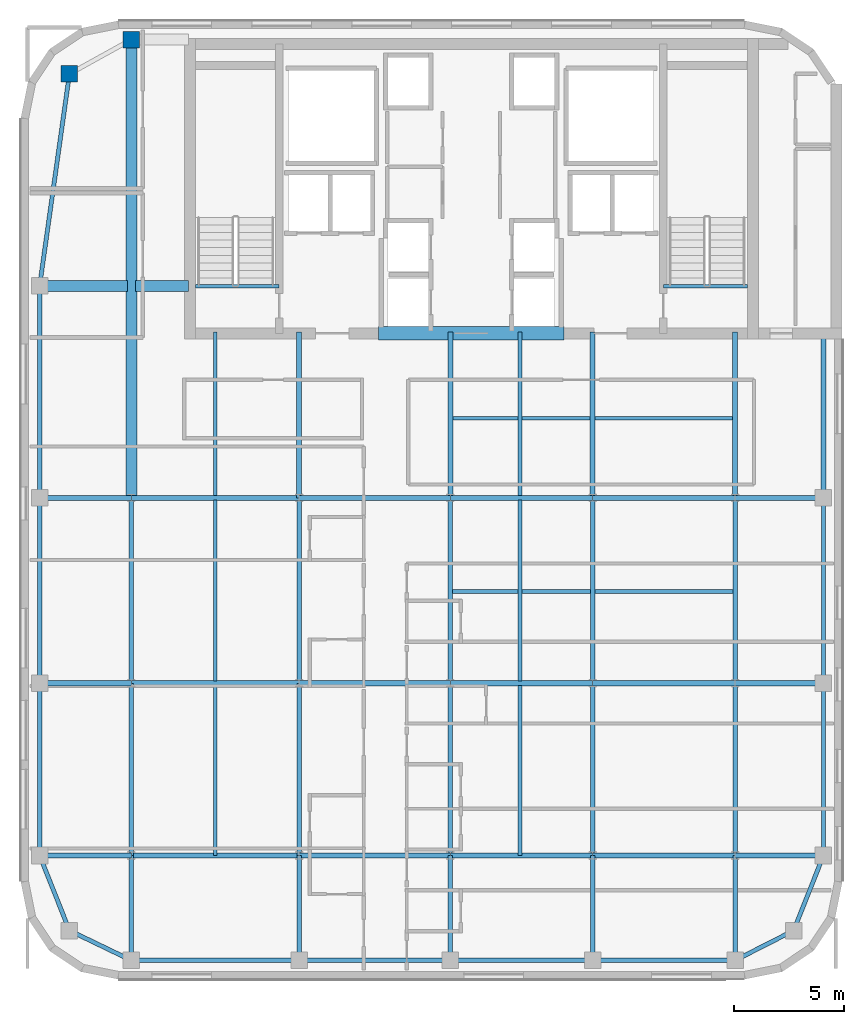
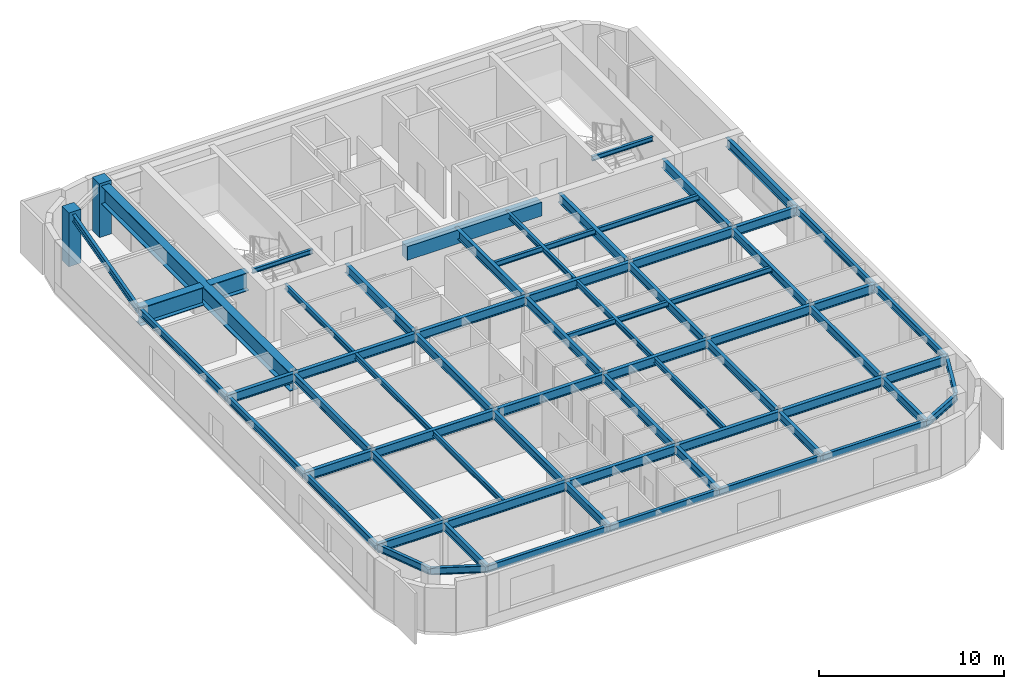
# One storey, part 2 of 12: 66 beams, 2 columns.
"""IFC4 building model written with IfcOpenShell, lengths in metres."""

from ifc_helpers import new_model, si_unit, direction, frame, origin, origin_2d, place, context, subcontext, project, spatial, rectangle, i_section, extrude, source, transform, mapped, material, material_profile, profile_set, type_object, type_shapes, element, save


model = new_model("IFC4")

# Units and contexts
model_context = context("Model", 3, precision=1e-05, world=origin(), true_north=direction((0.0, 1.0)))
body_context = subcontext(model_context, "Body", "Model", "MODEL_VIEW")
ifc_project = project(units=[si_unit("LENGTHUNIT", "METRE"), si_unit("AREAUNIT", "SQUARE_METRE"), si_unit("VOLUMEUNIT", "CUBIC_METRE"), si_unit("PLANEANGLEUNIT", "RADIAN"), si_unit("MASSUNIT", "GRAM", prefix="KILO")], contexts=[model_context])

# Site, building, storey
site_placement = place(None, origin())
site = spatial("IfcSite", under=ifc_project, at=site_placement, CompositionType="ELEMENT")
building_placement = place(site_placement, origin())
building = spatial("IfcBuilding", under=site, at=building_placement, Name="Tolvann Quenvar Hotel", CompositionType="ELEMENT")
storey_placement = place(building_placement, frame((0.0, 0.0, 213.25)))
storey = spatial("IfcBuildingStorey", under=building, at=storey_placement, Name="L56", CompositionType="ELEMENT", Elevation=213.25)

# Columns
ifc_material_1 = material(Name="Concrete N50 (50 MPa)", Category="concrete")
ifc_material_profile_1 = material_profile(ifc_material_1, rectangle(XDim=0.75, YDim=0.75, at=origin_2d()), Name="RC750x750")
ifc_profile_set_1 = profile_set([ifc_material_profile_1], Name="Concrete N50 (50 MPa)")
column_type = type_object("IfcColumnType", Name="COL_RC750", PredefinedType="COLUMN", material=ifc_profile_set_1)
shared_shape_1 = source(origin(), body_context, "Body", "SweptSolid", [
    extrude(rectangle(XDim=0.75, YDim=0.75, at=origin_2d()), origin(), (0.0, 0.0, 1.0), 3.550048828125),
])
type_shapes(column_type, [shared_shape_1])
for number, where, z_axis, x_axis, name in (
    (1, (4.800048828125, 43.60009765625, 0.0), (0.0, 0.0, 1.0), (1.0, 0.0, 0.0), "Column BN (L56)"),
    (2, (7.60009765625, 45.14990234375, 0.0), (0.0, 0.0, 1.0), (1.0, 0.0, 0.0), "Column CN (L56)"),
):
    element("IfcColumn", number, at=place(storey_placement, frame(where, z_axis=z_axis, x_axis=x_axis)), inside=storey, type_object=column_type, Name=name, PredefinedType="COLUMN", context=body_context, shape_type="MappedRepresentation", body=[
        mapped(shared_shape_1, transform((0.0, 0.0, 0.0), x_axis=(1.0, 0.0, 0.0), y_axis=(0.0, 1.0, 0.0), z_axis=(0.0, 0.0, 1.0), scale=1.0)),
    ])

# Beams
ifc_material_profile_2 = material_profile(ifc_material_1, rectangle(XDim=0.60009765625, YDim=0.89990234375, at=origin_2d()), Name="RC600x900")
ifc_profile_set_2 = profile_set([ifc_material_profile_2], Name="Concrete N50 (50 MPa)")
beam_type_1 = type_object("IfcBeamType", Name="BM_LINT_RC600x900", PredefinedType="LINTEL", material=ifc_profile_set_2)
shared_shape_2 = source(origin(), body_context, "Body", "SweptSolid", [
    extrude(rectangle(XDim=0.60009765625, YDim=0.89990234375, at=origin_2d()), origin(), (0.0, 0.0, 1.0), 8.39990234375),
])
type_shapes(beam_type_1, [shared_shape_2])
beam_1_placement = place(storey_placement, frame((18.800048828125, 31.85009765625, 2.919921875), z_axis=(1.0, 0.0, 0.0), x_axis=(0.0, 1.0, 0.0)))
element("IfcBeam", 3, at=beam_1_placement, inside=storey, type_object=beam_type_1, Name="Core Coupling Lintel Beam (L56)", PredefinedType="LINTEL", context=body_context, shape_type="MappedRepresentation", body=[
    mapped(shared_shape_2, transform((0.0, 0.0, 0.0), x_axis=(1.0, 0.0, 0.0), y_axis=(0.0, 1.0, 0.0), z_axis=(0.0, 0.0, 1.0), scale=1.0)),
])
ifc_material_2 = material(Name="Steel Grade 350", Category="steel")
ifc_material_profile_3 = material_profile(ifc_material_2, i_section(OverallWidth=0.208984375, OverallDepth=0.532958984375, WebThickness=0.01025390625, FlangeThickness=0.015625, FilletRadius=0.013916015625, at=origin_2d()), Name="530UB92")
ifc_profile_set_3 = profile_set([ifc_material_profile_3], Name="Steel Grade 350")
beam_type_2 = type_object("IfcBeamType", Name="BM_GIRD_530UB92", PredefinedType="BEAM", material=ifc_profile_set_3)
shared_shape_3 = source(origin(), body_context, "Body", "SweptSolid", [
    extrude(i_section(OverallWidth=0.208984375, OverallDepth=0.532958984375, WebThickness=0.01025390625, FlangeThickness=0.015625, FilletRadius=0.013916015625, at=origin_2d()), origin(), (0.0, 0.0, 1.0), 7.800048828125),
])
for number, where, z_axis, x_axis, name in (
    (4, (7.60009765625, 8.199951171875, 3.103515625), (0.0, 1.0, 0.0), (-1.0, 0.0, 0.0), "BM-L56-NS-C3-C4"),
    (5, (15.199951171875, 8.199951171875, 3.103515625), (0.0, 1.0, 0.0), (-1.0, 0.0, 0.0), "BM-L56-NS-D3-D4"),
    (6, (22.050048828125, 8.199951171875, 3.103515625), (0.0, 1.0, 0.0), (-1.0, 0.0, 0.0), "BM-L56-NS-E3-E4"),
    (7, (34.949951171875, 8.199951171875, 3.103515625), (0.0, 1.0, 0.0), (-1.0, 0.0, 0.0), "BM-L56-NS-F3-F4"),
    (8, (28.5, 8.199951171875, 3.103515625), (0.0, 1.0, 0.0), (-1.0, 0.0, 0.0), "BM-L56-NS-M3-M4"),
):
    element("IfcBeam", number, at=place(storey_placement, frame(where, z_axis=z_axis, x_axis=x_axis)), inside=storey, type_object=beam_type_2, Name=name, PredefinedType="BEAM", context=body_context, shape_type="MappedRepresentation", body=[
        mapped(shared_shape_3, transform((0.0, 0.0, 0.0), x_axis=(1.0, 0.0, 0.0), y_axis=(0.0, 1.0, 0.0), z_axis=(0.0, 0.0, 1.0), scale=1.0)),
    ])
shared_shape_4 = source(origin(), body_context, "Body", "SweptSolid", [
    extrude(i_section(OverallWidth=0.208984375, OverallDepth=0.532958984375, WebThickness=0.01025390625, FlangeThickness=0.015625, FilletRadius=0.013916015625, at=origin_2d()), origin(), (0.0, 0.0, 1.0), 8.39990234375),
])
for number, where, z_axis, x_axis, name in (
    (9, (7.60009765625, 16.0, 3.103515625), (0.0, 1.0, 0.0), (-1.0, 0.0, 0.0), "BM-L56-NS-C4-C5"),
    (10, (15.199951171875, 16.0, 3.103515625), (0.0, 1.0, 0.0), (-1.0, 0.0, 0.0), "BM-L56-NS-D4-D5"),
    (11, (22.050048828125, 16.0, 3.103515625), (0.0, 1.0, 0.0), (-1.0, 0.0, 0.0), "BM-L56-NS-E4-E5"),
    (12, (34.949951171875, 16.0, 3.103515625), (0.0, 1.0, 0.0), (-1.0, 0.0, 0.0), "BM-L56-NS-F4-F5"),
    (13, (28.5, 16.0, 3.103515625), (0.0, 1.0, 0.0), (-1.0, 0.0, 0.0), "BM-L56-NS-M4-M5"),
):
    element("IfcBeam", number, at=place(storey_placement, frame(where, z_axis=z_axis, x_axis=x_axis)), inside=storey, type_object=beam_type_2, Name=name, PredefinedType="BEAM", context=body_context, shape_type="MappedRepresentation", body=[
        mapped(shared_shape_4, transform((0.0, 0.0, 0.0), x_axis=(1.0, 0.0, 0.0), y_axis=(0.0, 1.0, 0.0), z_axis=(0.0, 0.0, 1.0), scale=1.0)),
    ])
ifc_material_profile_4 = material_profile(ifc_material_2, i_section(OverallWidth=0.5, OverallDepth=1.199951171875, WebThickness=0.01611328125, FlangeThickness=0.0400390625, at=origin_2d()), Name="1200WB455")
ifc_profile_set_4 = profile_set([ifc_material_profile_4], Name="Steel Grade 350")
beam_type_3 = type_object("IfcBeamType", Name="BM_TG_1200WB455", PredefinedType="USERDEFINED", material=ifc_profile_set_4)
shared_shape_5 = source(origin(), body_context, "Body", "SweptSolid", [
    extrude(i_section(OverallWidth=0.5, OverallDepth=1.199951171875, WebThickness=0.01611328125, FlangeThickness=0.0400390625, at=origin_2d()), origin(), (0.0, 0.0, 1.0), 20.75),
])
beam_2_placement = place(storey_placement, frame((7.60009765625, 24.39990234375, 2.77001953125), z_axis=(0.0, 1.0, 0.0), x_axis=(-1.0, 0.0, 0.0)))
element("IfcBeam", 14, at=beam_2_placement, inside=storey, type_object=beam_type_3, Name="BM-L56-FLK-WC", ObjectType="TRANSFER GIRDER", PredefinedType="USERDEFINED", context=body_context, shape_type="MappedRepresentation", body=[
    mapped(shared_shape_5, transform((0.0, 0.0, 0.0), x_axis=(1.0, 0.0, 0.0), y_axis=(0.0, 1.0, 0.0), z_axis=(0.0, 0.0, 1.0), scale=1.0)),
])
shared_shape_6 = source(origin(), body_context, "Body", "SweptSolid", [
    extrude(i_section(OverallWidth=0.5, OverallDepth=1.199951171875, WebThickness=0.01611328125, FlangeThickness=0.0400390625, at=origin_2d()), origin(), (0.0, 0.0, 1.0), 2.419921875),
])
beam_3_placement = place(storey_placement, frame((7.780029296875, 34.0, 2.77001953125), z_axis=(1.0, 0.0, 0.0), x_axis=(0.0, 1.0, 0.0)))
element("IfcBeam", 15, at=beam_3_placement, inside=storey, type_object=beam_type_3, Name="BM-L56-CTW-MID2", ObjectType="TRANSFER GIRDER", PredefinedType="USERDEFINED", context=body_context, shape_type="MappedRepresentation", body=[
    mapped(shared_shape_6, transform((0.0, 0.0, 0.0), x_axis=(1.0, 0.0, 0.0), y_axis=(0.0, 1.0, 0.0), z_axis=(0.0, 0.0, 1.0), scale=1.0)),
])
ifc_material_profile_5 = material_profile(ifc_material_2, i_section(OverallWidth=0.166015625, OverallDepth=0.306884765625, WebThickness=0.006591796875, FlangeThickness=0.01171875, FilletRadius=0.011474609375, at=origin_2d()), Name="310UB46")
ifc_profile_set_5 = profile_set([ifc_material_profile_5], Name="Steel Grade 350")
beam_type_4 = type_object("IfcBeamType", Name="BM_JOIST_310UB46", PredefinedType="JOIST", material=ifc_profile_set_5)
shared_shape_7 = source(origin(), body_context, "Body", "SweptSolid", [
    extrude(i_section(OverallWidth=0.166015625, OverallDepth=0.306884765625, WebThickness=0.006591796875, FlangeThickness=0.01171875, FilletRadius=0.011474609375, at=origin_2d()), origin(), (0.0, 0.0, 1.0), 3.800048828125),
])
type_shapes(beam_type_4, [shared_shape_7])
for number, where, z_axis, x_axis, name in (
    (16, (10.5, 33.97998046875, 3.216552734375), (1.0, 0.0, 0.0), (0.0, 1.0, 0.0), "BM-HDR-STC1-L57"),
    (17, (31.699951171875, 33.97998046875, 3.216552734375), (1.0, 0.0, 0.0), (0.0, 1.0, 0.0), "BM-HDR-STC2-L57"),
):
    element("IfcBeam", number, at=place(storey_placement, frame(where, z_axis=z_axis, x_axis=x_axis)), inside=storey, type_object=beam_type_4, Name=name, PredefinedType="JOIST", context=body_context, shape_type="MappedRepresentation", body=[
        mapped(shared_shape_7, transform((0.0, 0.0, 0.0), x_axis=(1.0, 0.0, 0.0), y_axis=(0.0, 1.0, 0.0), z_axis=(0.0, 0.0, 1.0), scale=1.0)),
    ])
shared_shape_8 = source(origin(), body_context, "Body", "SweptSolid", [
    extrude(i_section(OverallWidth=0.5, OverallDepth=1.199951171875, WebThickness=0.01611328125, FlangeThickness=0.0400390625, at=origin_2d()), origin(), (0.0, 0.0, 1.0), 3.969970703125),
])
type_shapes(beam_type_3, [shared_shape_5, shared_shape_6, shared_shape_8])
beam_4_placement = place(storey_placement, frame((3.449951171875, 34.0, 2.77001953125), z_axis=(1.0, 0.0, 0.0), x_axis=(0.0, 1.0, 0.0)))
element("IfcBeam", 18, at=beam_4_placement, inside=storey, type_object=beam_type_3, Name="BM-L56-CTW-MID1", ObjectType="TRANSFER GIRDER", PredefinedType="USERDEFINED", context=body_context, shape_type="MappedRepresentation", body=[
    mapped(shared_shape_8, transform((0.0, 0.0, 0.0), x_axis=(1.0, 0.0, 0.0), y_axis=(0.0, 1.0, 0.0), z_axis=(0.0, 0.0, 1.0), scale=1.0)),
])
ifc_material_profile_6 = material_profile(ifc_material_2, i_section(OverallWidth=0.172119140625, OverallDepth=0.35888671875, WebThickness=0.008056640625, FlangeThickness=0.012939453125, FilletRadius=0.011474609375, at=origin_2d()), Name="360UB57")
ifc_profile_set_6 = profile_set([ifc_material_profile_6], Name="Steel Grade 350")
beam_type_5 = type_object("IfcBeamType", Name="BM_JOIST_360UB57", PredefinedType="JOIST", material=ifc_profile_set_6)
shared_shape_9 = source(origin(), body_context, "Body", "SweptSolid", [
    extrude(i_section(OverallWidth=0.172119140625, OverallDepth=0.35888671875, WebThickness=0.008056640625, FlangeThickness=0.012939453125, FilletRadius=0.011474609375, at=origin_2d()), origin(), (0.0, 0.0, 1.0), 12.89990234375),
])
for number, where, z_axis, x_axis, name in (
    (19, (22.050048828125, 20.14990234375, 3.1904296875), (1.0, 0.0, 0.0), (0.0, 1.0, 0.0), "BM-L56-SPINE-20"),
    (20, (22.050048828125, 28.0, 3.1904296875), (1.0, 0.0, 0.0), (0.0, 1.0, 0.0), "BM-L56-SPINE-28"),
):
    element("IfcBeam", number, at=place(storey_placement, frame(where, z_axis=z_axis, x_axis=x_axis)), inside=storey, type_object=beam_type_5, Name=name, PredefinedType="JOIST", context=body_context, shape_type="MappedRepresentation", body=[
        mapped(shared_shape_9, transform((0.0, 0.0, 0.0), x_axis=(1.0, 0.0, 0.0), y_axis=(0.0, 1.0, 0.0), z_axis=(0.0, 0.0, 1.0), scale=1.0)),
    ])
ifc_material_profile_7 = material_profile(ifc_material_2, i_section(OverallWidth=0.22802734375, OverallDepth=0.60205078125, WebThickness=0.010498046875, FlangeThickness=0.014892578125, FilletRadius=0.013916015625, at=origin_2d()), Name="610UB101")
ifc_profile_set_7 = profile_set([ifc_material_profile_7], Name="Steel Grade 350")
beam_type_6 = type_object("IfcBeamType", Name="BM_GIRD_610UB101", PredefinedType="BEAM", material=ifc_profile_set_7)
shared_shape_10 = source(origin(), body_context, "Body", "SweptSolid", [
    extrude(i_section(OverallWidth=0.22802734375, OverallDepth=0.60205078125, WebThickness=0.010498046875, FlangeThickness=0.014892578125, FilletRadius=0.013916015625, at=origin_2d()), origin(), (0.0, 0.0, 1.0), 4.150146484375),
])
for number, where, z_axis, x_axis, name in (
    (21, (3.449951171875, 8.199951171875, 3.069091796875), (1.0, 0.0, 0.0), (0.0, 1.0, 0.0), "BM-L56-EW-3-B3-C3"),
    (22, (3.449951171875, 16.0, 3.069091796875), (1.0, 0.0, 0.0), (0.0, 1.0, 0.0), "BM-L56-EW-4-B4-C4"),
    (23, (3.449951171875, 24.39990234375, 3.069091796875), (1.0, 0.0, 0.0), (0.0, 1.0, 0.0), "BM-L56-EW-5-B5-C5"),
):
    element("IfcBeam", number, at=place(storey_placement, frame(where, z_axis=z_axis, x_axis=x_axis)), inside=storey, type_object=beam_type_6, Name=name, PredefinedType="BEAM", context=body_context, shape_type="MappedRepresentation", body=[
        mapped(shared_shape_10, transform((0.0, 0.0, 0.0), x_axis=(1.0, 0.0, 0.0), y_axis=(0.0, 1.0, 0.0), z_axis=(0.0, 0.0, 1.0), scale=1.0)),
    ])
shared_shape_11 = source(origin(), body_context, "Body", "SweptSolid", [
    extrude(i_section(OverallWidth=0.22802734375, OverallDepth=0.60205078125, WebThickness=0.010498046875, FlangeThickness=0.014892578125, FilletRadius=0.013916015625, at=origin_2d()), origin(), (0.0, 0.0, 1.0), 7.599853515625),
])
for number, where, z_axis, x_axis, name in (
    (24, (7.60009765625, 8.199951171875, 3.069091796875), (1.0, 0.0, 0.0), (0.0, 1.0, 0.0), "BM-L56-EW-3-C3-D3"),
    (25, (7.60009765625, 16.0, 3.069091796875), (1.0, 0.0, 0.0), (0.0, 1.0, 0.0), "BM-L56-EW-4-C4-D4"),
    (26, (7.60009765625, 24.39990234375, 3.069091796875), (1.0, 0.0, 0.0), (0.0, 1.0, 0.0), "BM-L56-EW-5-C5-D5"),
):
    element("IfcBeam", number, at=place(storey_placement, frame(where, z_axis=z_axis, x_axis=x_axis)), inside=storey, type_object=beam_type_6, Name=name, PredefinedType="BEAM", context=body_context, shape_type="MappedRepresentation", body=[
        mapped(shared_shape_11, transform((0.0, 0.0, 0.0), x_axis=(1.0, 0.0, 0.0), y_axis=(0.0, 1.0, 0.0), z_axis=(0.0, 0.0, 1.0), scale=1.0)),
    ])
shared_shape_12 = source(origin(), body_context, "Body", "SweptSolid", [
    extrude(i_section(OverallWidth=0.22802734375, OverallDepth=0.60205078125, WebThickness=0.010498046875, FlangeThickness=0.014892578125, FilletRadius=0.013916015625, at=origin_2d()), origin(), (0.0, 0.0, 1.0), 6.85009765625),
])
for number, where, z_axis, x_axis, name in (
    (27, (15.199951171875, 8.199951171875, 3.069091796875), (1.0, 0.0, 0.0), (0.0, 1.0, 0.0), "BM-L56-EW-3-D3-E3"),
    (28, (15.199951171875, 16.0, 3.069091796875), (1.0, 0.0, 0.0), (0.0, 1.0, 0.0), "BM-L56-EW-4-D4-E4"),
    (29, (15.199951171875, 24.39990234375, 3.069091796875), (1.0, 0.0, 0.0), (0.0, 1.0, 0.0), "BM-L56-EW-5-D5-E5"),
):
    element("IfcBeam", number, at=place(storey_placement, frame(where, z_axis=z_axis, x_axis=x_axis)), inside=storey, type_object=beam_type_6, Name=name, PredefinedType="BEAM", context=body_context, shape_type="MappedRepresentation", body=[
        mapped(shared_shape_12, transform((0.0, 0.0, 0.0), x_axis=(1.0, 0.0, 0.0), y_axis=(0.0, 1.0, 0.0), z_axis=(0.0, 0.0, 1.0), scale=1.0)),
    ])
shared_shape_13 = source(origin(), body_context, "Body", "SweptSolid", [
    extrude(i_section(OverallWidth=0.22802734375, OverallDepth=0.60205078125, WebThickness=0.010498046875, FlangeThickness=0.014892578125, FilletRadius=0.013916015625, at=origin_2d()), origin(), (0.0, 0.0, 1.0), 6.449951171875),
])
for number, where, z_axis, x_axis, name in (
    (30, (22.050048828125, 8.199951171875, 3.069091796875), (1.0, 0.0, 0.0), (0.0, 1.0, 0.0), "BM-L56-EW-3-E3-M3"),
    (31, (28.5, 8.199951171875, 3.069091796875), (1.0, 0.0, 0.0), (0.0, 1.0, 0.0), "BM-L56-EW-3-M3-F3"),
    (32, (22.050048828125, 16.0, 3.069091796875), (1.0, 0.0, 0.0), (0.0, 1.0, 0.0), "BM-L56-EW-4-E4-M4"),
    (33, (28.5, 16.0, 3.069091796875), (1.0, 0.0, 0.0), (0.0, 1.0, 0.0), "BM-L56-EW-4-M4-F4"),
    (34, (22.050048828125, 24.39990234375, 3.069091796875), (1.0, 0.0, 0.0), (0.0, 1.0, 0.0), "BM-L56-EW-5-E5-M5"),
    (35, (28.5, 24.39990234375, 3.069091796875), (1.0, 0.0, 0.0), (0.0, 1.0, 0.0), "BM-L56-EW-5-M5-F5"),
):
    element("IfcBeam", number, at=place(storey_placement, frame(where, z_axis=z_axis, x_axis=x_axis)), inside=storey, type_object=beam_type_6, Name=name, PredefinedType="BEAM", context=body_context, shape_type="MappedRepresentation", body=[
        mapped(shared_shape_13, transform((0.0, 0.0, 0.0), x_axis=(1.0, 0.0, 0.0), y_axis=(0.0, 1.0, 0.0), z_axis=(0.0, 0.0, 1.0), scale=1.0)),
    ])
shared_shape_14 = source(origin(), body_context, "Body", "SweptSolid", [
    extrude(i_section(OverallWidth=0.208984375, OverallDepth=0.532958984375, WebThickness=0.01025390625, FlangeThickness=0.015625, FilletRadius=0.013916015625, at=origin_2d()), origin(), (0.0, 0.0, 1.0), 4.75),
])
type_shapes(beam_type_2, [shared_shape_3, shared_shape_4, shared_shape_14])
for number, where, z_axis, x_axis, name in (
    (36, (7.60009765625, 3.449951171875, 3.103515625), (0.0, 1.0, 0.0), (-1.0, 0.0, 0.0), "BM-L56-NS-C2-C3"),
    (37, (15.199951171875, 3.449951171875, 3.103515625), (0.0, 1.0, 0.0), (-1.0, 0.0, 0.0), "BM-L56-NS-D2-D3"),
    (38, (22.050048828125, 3.449951171875, 3.103515625), (0.0, 1.0, 0.0), (-1.0, 0.0, 0.0), "BM-L56-NS-E2-E3"),
    (39, (34.949951171875, 3.449951171875, 3.103515625), (0.0, 1.0, 0.0), (-1.0, 0.0, 0.0), "BM-L56-NS-F2-F3"),
    (40, (28.5, 3.449951171875, 3.103515625), (0.0, 1.0, 0.0), (-1.0, 0.0, 0.0), "BM-L56-NS-M2-M3"),
):
    element("IfcBeam", number, at=place(storey_placement, frame(where, z_axis=z_axis, x_axis=x_axis)), inside=storey, type_object=beam_type_2, Name=name, PredefinedType="BEAM", context=body_context, shape_type="MappedRepresentation", body=[
        mapped(shared_shape_14, transform((0.0, 0.0, 0.0), x_axis=(1.0, 0.0, 0.0), y_axis=(0.0, 1.0, 0.0), z_axis=(0.0, 0.0, 1.0), scale=1.0)),
    ])
shared_shape_15 = source(origin(), body_context, "Body", "SweptSolid", [
    extrude(i_section(OverallWidth=0.22802734375, OverallDepth=0.60205078125, WebThickness=0.010498046875, FlangeThickness=0.014892578125, FilletRadius=0.013916015625, at=origin_2d()), origin(), (0.0, 0.0, 1.0), 7.5),
])
for number, where, z_axis, x_axis, name in (
    (41, (15.199951171875, 24.39990234375, 3.069091796875), (0.0, 1.0, 0.0), (-1.0, 0.0, 0.0), "BM-L56-CORE-D5"),
    (42, (22.050048828125, 24.39990234375, 3.069091796875), (0.0, 1.0, 0.0), (-1.0, 0.0, 0.0), "BM-L56-CORE-E5"),
    (43, (34.949951171875, 24.39990234375, 3.069091796875), (0.0, 1.0, 0.0), (-1.0, 0.0, 0.0), "BM-L56-CORE-F5"),
    (44, (38.949951171875, 24.39990234375, 3.069091796875), (0.0, 1.0, 0.0), (-1.0, 0.0, 0.0), "BM-L56-CORE-G5"),
    (45, (28.5, 24.39990234375, 3.069091796875), (0.0, 1.0, 0.0), (-1.0, 0.0, 0.0), "BM-L56-CORE-M5"),
):
    element("IfcBeam", number, at=place(storey_placement, frame(where, z_axis=z_axis, x_axis=x_axis)), inside=storey, type_object=beam_type_6, Name=name, PredefinedType="BEAM", context=body_context, shape_type="MappedRepresentation", body=[
        mapped(shared_shape_15, transform((0.0, 0.0, 0.0), x_axis=(1.0, 0.0, 0.0), y_axis=(0.0, 1.0, 0.0), z_axis=(0.0, 0.0, 1.0), scale=1.0)),
    ])
shared_shape_16 = source(origin(), body_context, "Body", "SweptSolid", [
    extrude(i_section(OverallWidth=0.172119140625, OverallDepth=0.35888671875, WebThickness=0.008056640625, FlangeThickness=0.012939453125, FilletRadius=0.011474609375, at=origin_2d()), origin(), (0.0, 0.0, 1.0), 7.692138671875),
])
for number, where, z_axis, x_axis, name in (
    (46, (11.39990234375, 8.199951171875, 3.1904296875), (0.0, 1.0, 0.0), (-1.0, 0.0, 0.0), "BJ-L56-114-82"),
    (47, (25.199951171875, 8.199951171875, 3.1904296875), (0.0, 1.0, 0.0), (-1.0, 0.0, 0.0), "BJ-L56-252-82"),
):
    element("IfcBeam", number, at=place(storey_placement, frame(where, z_axis=z_axis, x_axis=x_axis)), inside=storey, type_object=beam_type_5, Name=name, PredefinedType="JOIST", context=body_context, shape_type="MappedRepresentation", body=[
        mapped(shared_shape_16, transform((0.0, 0.0, 0.0), x_axis=(1.0, 0.0, 0.0), y_axis=(0.0, 1.0, 0.0), z_axis=(0.0, 0.0, 1.0), scale=1.0)),
    ])
shared_shape_17 = source(origin(), body_context, "Body", "SweptSolid", [
    extrude(i_section(OverallWidth=0.172119140625, OverallDepth=0.35888671875, WebThickness=0.008056640625, FlangeThickness=0.012939453125, FilletRadius=0.011474609375, at=origin_2d()), origin(), (0.0, 0.0, 1.0), 8.18408203125),
])
for number, where, z_axis, x_axis, name in (
    (48, (11.39990234375, 16.10791015625, 3.1904296875), (0.0, 1.0, 0.0), (-1.0, 0.0, 0.0), "BJ-L56-114-160"),
    (49, (25.199951171875, 16.10791015625, 3.1904296875), (0.0, 1.0, 0.0), (-1.0, 0.0, 0.0), "BJ-L56-252-160"),
):
    element("IfcBeam", number, at=place(storey_placement, frame(where, z_axis=z_axis, x_axis=x_axis)), inside=storey, type_object=beam_type_5, Name=name, PredefinedType="JOIST", context=body_context, shape_type="MappedRepresentation", body=[
        mapped(shared_shape_17, transform((0.0, 0.0, 0.0), x_axis=(1.0, 0.0, 0.0), y_axis=(0.0, 1.0, 0.0), z_axis=(0.0, 0.0, 1.0), scale=1.0)),
    ])
shared_shape_18 = source(origin(), body_context, "Body", "SweptSolid", [
    extrude(i_section(OverallWidth=0.172119140625, OverallDepth=0.35888671875, WebThickness=0.008056640625, FlangeThickness=0.012939453125, FilletRadius=0.011474609375, at=origin_2d()), origin(), (0.0, 0.0, 1.0), 7.391845703125),
])
type_shapes(beam_type_5, [shared_shape_9, shared_shape_16, shared_shape_17, shared_shape_18])
for number, where, z_axis, x_axis, name in (
    (50, (11.39990234375, 24.508056640625, 3.1904296875), (0.0, 1.0, 0.0), (-1.0, 0.0, 0.0), "BJ-L56-114-244"),
    (51, (25.199951171875, 24.508056640625, 3.1904296875), (0.0, 1.0, 0.0), (-1.0, 0.0, 0.0), "BJ-L56-252-244"),
):
    element("IfcBeam", number, at=place(storey_placement, frame(where, z_axis=z_axis, x_axis=x_axis)), inside=storey, type_object=beam_type_5, Name=name, PredefinedType="JOIST", context=body_context, shape_type="MappedRepresentation", body=[
        mapped(shared_shape_18, transform((0.0, 0.0, 0.0), x_axis=(1.0, 0.0, 0.0), y_axis=(0.0, 1.0, 0.0), z_axis=(0.0, 0.0, 1.0), scale=1.0)),
    ])
ifc_material_profile_8 = material_profile(ifc_material_2, i_section(OverallWidth=0.19091796875, OverallDepth=0.4599609375, WebThickness=0.010009765625, FlangeThickness=0.01611328125, FilletRadius=0.011474609375, at=origin_2d()), Name="460UB82")
ifc_profile_set_8 = profile_set([ifc_material_profile_8], Name="Steel Grade 350")
beam_type_7 = type_object("IfcBeamType", Name="BM_SPAND_460UB82", PredefinedType="SPANDREL", material=ifc_profile_set_8)
shared_shape_19 = source(origin(), body_context, "Body", "SweptSolid", [
    extrude(i_section(OverallWidth=0.19091796875, OverallDepth=0.4599609375, WebThickness=0.010009765625, FlangeThickness=0.01611328125, FilletRadius=0.011474609375, at=origin_2d()), origin(), (0.0, 0.0, 1.0), 3.108642578125),
])
beam_5_placement = place(storey_placement, frame((4.800048828125, 4.800048828125, 3.139892578125), z_axis=(0.900759354066, -0.434318530646, 0.0), x_axis=(0.434318530646, 0.900759354066, 0.0)))
element("IfcBeam", 52, at=beam_5_placement, inside=storey, type_object=beam_type_7, Name="BM-L56-EW-2-B2-C2", PredefinedType="SPANDREL", context=body_context, shape_type="MappedRepresentation", body=[
    mapped(shared_shape_19, transform((0.0, 0.0, 0.0), x_axis=(1.0, 0.0, 0.0), y_axis=(0.0, 1.0, 0.0), z_axis=(0.0, 0.0, 1.0), scale=1.0)),
])
shared_shape_20 = source(origin(), body_context, "Body", "SweptSolid", [
    extrude(i_section(OverallWidth=0.19091796875, OverallDepth=0.4599609375, WebThickness=0.010009765625, FlangeThickness=0.01611328125, FilletRadius=0.011474609375, at=origin_2d()), origin(), (0.0, 0.0, 1.0), 7.599853515625),
])
beam_6_placement = place(storey_placement, frame((7.60009765625, 3.449951171875, 3.139892578125), z_axis=(1.0, 0.0, 0.0), x_axis=(0.0, 1.0, 0.0)))
element("IfcBeam", 53, at=beam_6_placement, inside=storey, type_object=beam_type_7, Name="BM-L56-EW-2-C2-D2", PredefinedType="SPANDREL", context=body_context, shape_type="MappedRepresentation", body=[
    mapped(shared_shape_20, transform((0.0, 0.0, 0.0), x_axis=(1.0, 0.0, 0.0), y_axis=(0.0, 1.0, 0.0), z_axis=(0.0, 0.0, 1.0), scale=1.0)),
])
shared_shape_21 = source(origin(), body_context, "Body", "SweptSolid", [
    extrude(i_section(OverallWidth=0.19091796875, OverallDepth=0.4599609375, WebThickness=0.010009765625, FlangeThickness=0.01611328125, FilletRadius=0.011474609375, at=origin_2d()), origin(), (0.0, 0.0, 1.0), 6.85009765625),
])
beam_7_placement = place(storey_placement, frame((15.199951171875, 3.449951171875, 3.139892578125), z_axis=(1.0, 0.0, 0.0), x_axis=(0.0, 1.0, 0.0)))
element("IfcBeam", 54, at=beam_7_placement, inside=storey, type_object=beam_type_7, Name="BM-L56-EW-2-D2-E2", PredefinedType="SPANDREL", context=body_context, shape_type="MappedRepresentation", body=[
    mapped(shared_shape_21, transform((0.0, 0.0, 0.0), x_axis=(1.0, 0.0, 0.0), y_axis=(0.0, 1.0, 0.0), z_axis=(0.0, 0.0, 1.0), scale=1.0)),
])
shared_shape_22 = source(origin(), body_context, "Body", "SweptSolid", [
    extrude(i_section(OverallWidth=0.19091796875, OverallDepth=0.4599609375, WebThickness=0.010009765625, FlangeThickness=0.01611328125, FilletRadius=0.011474609375, at=origin_2d()), origin(), (0.0, 0.0, 1.0), 6.449951171875),
])
for number, where, z_axis, x_axis, name in (
    (55, (22.050048828125, 3.449951171875, 3.139892578125), (1.0, 0.0, 0.0), (0.0, 1.0, 0.0), "BM-L56-EW-2-E2-M2"),
    (56, (28.5, 3.449951171875, 3.139892578125), (1.0, 0.0, 0.0), (0.0, 1.0, 0.0), "BM-L56-EW-2-M2-F2"),
):
    element("IfcBeam", number, at=place(storey_placement, frame(where, z_axis=z_axis, x_axis=x_axis)), inside=storey, type_object=beam_type_7, Name=name, PredefinedType="SPANDREL", context=body_context, shape_type="MappedRepresentation", body=[
        mapped(shared_shape_22, transform((0.0, 0.0, 0.0), x_axis=(1.0, 0.0, 0.0), y_axis=(0.0, 1.0, 0.0), z_axis=(0.0, 0.0, 1.0), scale=1.0)),
    ])
shared_shape_23 = source(origin(), body_context, "Body", "SweptSolid", [
    extrude(i_section(OverallWidth=0.19091796875, OverallDepth=0.4599609375, WebThickness=0.010009765625, FlangeThickness=0.01611328125, FilletRadius=0.011474609375, at=origin_2d()), origin(), (0.0, 0.0, 1.0), 2.97412109375),
])
beam_8_placement = place(storey_placement, frame((34.949951171875, 3.449951171875, 3.139892578125), z_axis=(0.891036364695, 0.453931929688, 0.0), x_axis=(-0.453931929688, 0.891036364695, 0.0)))
element("IfcBeam", 57, at=beam_8_placement, inside=storey, type_object=beam_type_7, Name="BM-L56-EW-2-F2-G2", PredefinedType="SPANDREL", context=body_context, shape_type="MappedRepresentation", body=[
    mapped(shared_shape_23, transform((0.0, 0.0, 0.0), x_axis=(1.0, 0.0, 0.0), y_axis=(0.0, 1.0, 0.0), z_axis=(0.0, 0.0, 1.0), scale=1.0)),
])
shared_shape_24 = source(origin(), body_context, "Body", "SweptSolid", [
    extrude(i_section(OverallWidth=0.22802734375, OverallDepth=0.60205078125, WebThickness=0.010498046875, FlangeThickness=0.014892578125, FilletRadius=0.013916015625, at=origin_2d()), origin(), (0.0, 0.0, 1.0), 4.0),
])
type_shapes(beam_type_6, [shared_shape_10, shared_shape_11, shared_shape_12, shared_shape_13, shared_shape_15, shared_shape_24])
for number, where, z_axis, x_axis, name in (
    (58, (34.949951171875, 8.199951171875, 3.069091796875), (1.0, 0.0, 0.0), (0.0, 1.0, 0.0), "BM-L56-EW-3-F3-G3"),
    (59, (34.949951171875, 16.0, 3.069091796875), (1.0, 0.0, 0.0), (0.0, 1.0, 0.0), "BM-L56-EW-4-F4-G4"),
    (60, (34.949951171875, 24.39990234375, 3.069091796875), (1.0, 0.0, 0.0), (0.0, 1.0, 0.0), "BM-L56-EW-5-F5-G5"),
):
    element("IfcBeam", number, at=place(storey_placement, frame(where, z_axis=z_axis, x_axis=x_axis)), inside=storey, type_object=beam_type_6, Name=name, PredefinedType="BEAM", context=body_context, shape_type="MappedRepresentation", body=[
        mapped(shared_shape_24, transform((0.0, 0.0, 0.0), x_axis=(1.0, 0.0, 0.0), y_axis=(0.0, 1.0, 0.0), z_axis=(0.0, 0.0, 1.0), scale=1.0)),
    ])
shared_shape_25 = source(origin(), body_context, "Body", "SweptSolid", [
    extrude(i_section(OverallWidth=0.19091796875, OverallDepth=0.4599609375, WebThickness=0.010009765625, FlangeThickness=0.01611328125, FilletRadius=0.011474609375, at=origin_2d()), origin(), (0.0, 0.0, 1.0), 3.658203125),
])
beam_9_placement = place(storey_placement, frame((4.800048828125, 4.800048828125, 3.139892578125), z_axis=(-0.369065163807, 0.929403521009, 0.0), x_axis=(-0.929403521009, -0.369065163807, 0.0)))
element("IfcBeam", 61, at=beam_9_placement, inside=storey, type_object=beam_type_7, Name="BM-L56-NS-B2-B3", PredefinedType="SPANDREL", context=body_context, shape_type="MappedRepresentation", body=[
    mapped(shared_shape_25, transform((0.0, 0.0, 0.0), x_axis=(1.0, 0.0, 0.0), y_axis=(0.0, 1.0, 0.0), z_axis=(0.0, 0.0, 1.0), scale=1.0)),
])
shared_shape_26 = source(origin(), body_context, "Body", "SweptSolid", [
    extrude(i_section(OverallWidth=0.19091796875, OverallDepth=0.4599609375, WebThickness=0.010009765625, FlangeThickness=0.01611328125, FilletRadius=0.011474609375, at=origin_2d()), origin(), (0.0, 0.0, 1.0), 7.800048828125),
])
for number, where, z_axis, x_axis, name in (
    (62, (3.449951171875, 8.199951171875, 3.139892578125), (0.0, 1.0, 0.0), (-1.0, 0.0, 0.0), "BM-L56-NS-B3-B4"),
    (63, (38.949951171875, 8.199951171875, 3.139892578125), (0.0, 1.0, 0.0), (-1.0, 0.0, 0.0), "BM-L56-NS-G3-G4"),
):
    element("IfcBeam", number, at=place(storey_placement, frame(where, z_axis=z_axis, x_axis=x_axis)), inside=storey, type_object=beam_type_7, Name=name, PredefinedType="SPANDREL", context=body_context, shape_type="MappedRepresentation", body=[
        mapped(shared_shape_26, transform((0.0, 0.0, 0.0), x_axis=(1.0, 0.0, 0.0), y_axis=(0.0, 1.0, 0.0), z_axis=(0.0, 0.0, 1.0), scale=1.0)),
    ])
shared_shape_27 = source(origin(), body_context, "Body", "SweptSolid", [
    extrude(i_section(OverallWidth=0.19091796875, OverallDepth=0.4599609375, WebThickness=0.010009765625, FlangeThickness=0.01611328125, FilletRadius=0.011474609375, at=origin_2d()), origin(), (0.0, 0.0, 1.0), 8.39990234375),
])
for number, where, z_axis, x_axis, name in (
    (64, (3.449951171875, 16.0, 3.139892578125), (0.0, 1.0, 0.0), (-1.0, 0.0, 0.0), "BM-L56-NS-B4-B5"),
    (65, (38.949951171875, 16.0, 3.139892578125), (0.0, 1.0, 0.0), (-1.0, 0.0, 0.0), "BM-L56-NS-G4-G5"),
):
    element("IfcBeam", number, at=place(storey_placement, frame(where, z_axis=z_axis, x_axis=x_axis)), inside=storey, type_object=beam_type_7, Name=name, PredefinedType="SPANDREL", context=body_context, shape_type="MappedRepresentation", body=[
        mapped(shared_shape_27, transform((0.0, 0.0, 0.0), x_axis=(1.0, 0.0, 0.0), y_axis=(0.0, 1.0, 0.0), z_axis=(0.0, 0.0, 1.0), scale=1.0)),
    ])
shared_shape_28 = source(origin(), body_context, "Body", "SweptSolid", [
    extrude(i_section(OverallWidth=0.19091796875, OverallDepth=0.4599609375, WebThickness=0.010009765625, FlangeThickness=0.01611328125, FilletRadius=0.011474609375, at=origin_2d()), origin(), (0.0, 0.0, 1.0), 3.657958984375),
])
beam_10_placement = place(storey_placement, frame((37.60009765625, 4.800048828125, 3.139892578125), z_axis=(0.369007513371, 0.929426411867, 0.0), x_axis=(-0.929426411867, 0.369007513371, 0.0)))
element("IfcBeam", 66, at=beam_10_placement, inside=storey, type_object=beam_type_7, Name="BM-L56-NS-G2-G3", PredefinedType="SPANDREL", context=body_context, shape_type="MappedRepresentation", body=[
    mapped(shared_shape_28, transform((0.0, 0.0, 0.0), x_axis=(1.0, 0.0, 0.0), y_axis=(0.0, 1.0, 0.0), z_axis=(0.0, 0.0, 1.0), scale=1.0)),
])
shared_shape_29 = source(origin(), body_context, "Body", "SweptSolid", [
    extrude(i_section(OverallWidth=0.19091796875, OverallDepth=0.4599609375, WebThickness=0.010009765625, FlangeThickness=0.01611328125, FilletRadius=0.011474609375, at=origin_2d()), origin(), (0.0, 0.0, 1.0), 9.60009765625),
])
beam_11_placement = place(storey_placement, frame((3.449951171875, 24.39990234375, 3.139892578125), z_axis=(0.0, 1.0, 0.0), x_axis=(-1.0, 0.0, 0.0)))
element("IfcBeam", 67, at=beam_11_placement, inside=storey, type_object=beam_type_7, Name="BM-L56-FLK-W1", PredefinedType="SPANDREL", context=body_context, shape_type="MappedRepresentation", body=[
    mapped(shared_shape_29, transform((0.0, 0.0, 0.0), x_axis=(1.0, 0.0, 0.0), y_axis=(0.0, 1.0, 0.0), z_axis=(0.0, 0.0, 1.0), scale=1.0)),
])
shared_shape_30 = source(origin(), body_context, "Body", "SweptSolid", [
    extrude(i_section(OverallWidth=0.19091796875, OverallDepth=0.4599609375, WebThickness=0.010009765625, FlangeThickness=0.01611328125, FilletRadius=0.011474609375, at=origin_2d()), origin(), (0.0, 0.0, 1.0), 9.694580078125),
])
type_shapes(beam_type_7, [shared_shape_19, shared_shape_20, shared_shape_21, shared_shape_22, shared_shape_23, shared_shape_25, shared_shape_26, shared_shape_27, shared_shape_28, shared_shape_29, shared_shape_30])
beam_12_placement = place(storey_placement, frame((3.449951171875, 34.0, 3.139892578125), z_axis=(0.139263320262, 0.990255385055, 0.0), x_axis=(-0.990255385055, 0.139263320262, 0.0)))
element("IfcBeam", 68, at=beam_12_placement, inside=storey, type_object=beam_type_7, Name="BM-L56-FLK-W2", PredefinedType="SPANDREL", context=body_context, shape_type="MappedRepresentation", body=[
    mapped(shared_shape_30, transform((0.0, 0.0, 0.0), x_axis=(1.0, 0.0, 0.0), y_axis=(0.0, 1.0, 0.0), z_axis=(0.0, 0.0, 1.0), scale=1.0)),
])

save(model, "model.ifc")
